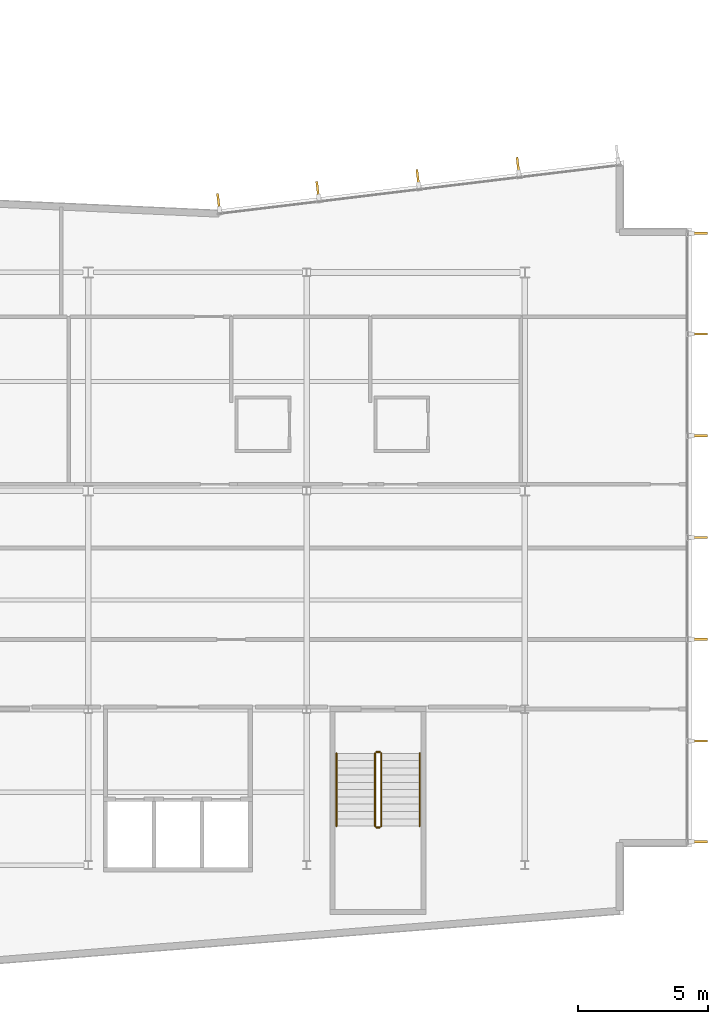
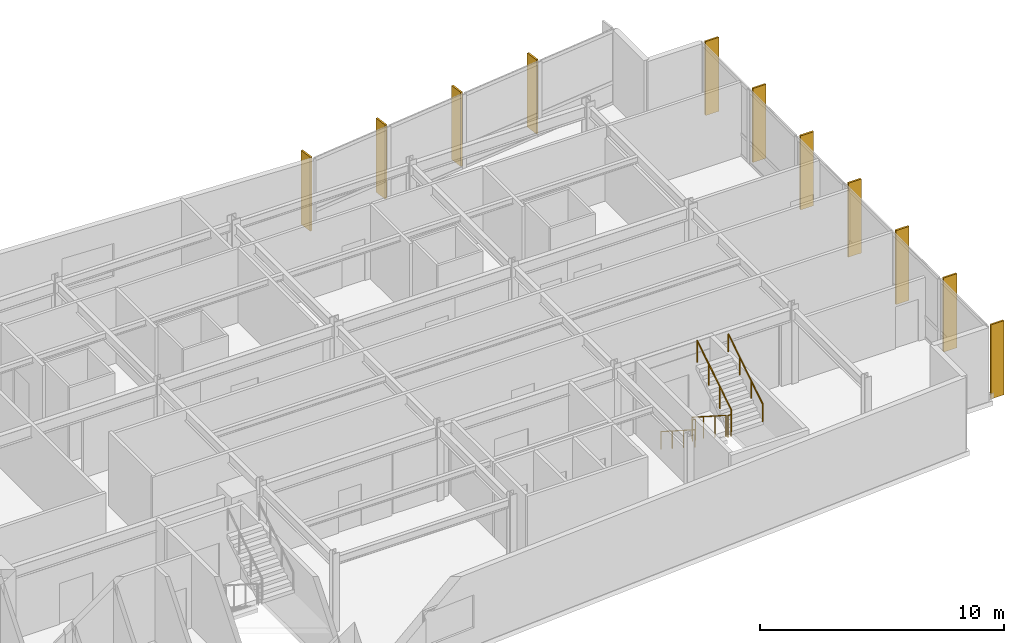
# One storey, part 15 of 17: 11 shading devices, 6 railings.
"""IFC4 building model written with IfcOpenShell, lengths in metres."""

from ifc_helpers import new_model, si_unit, direction, frame, origin, origin_2d, place, context, subcontext, project, spatial, rectangle, circle, extrude, material, layer, layer_set, type_object, element, save


model = new_model("IFC4")

# Units and contexts
model_context = context("Model", 3, precision=1e-05, world=origin(), true_north=direction((0.0, 1.0)))
body_context = subcontext(model_context, "Body", "Model", "MODEL_VIEW")
ifc_project = project(units=[si_unit("LENGTHUNIT", "METRE"), si_unit("AREAUNIT", "SQUARE_METRE"), si_unit("VOLUMEUNIT", "CUBIC_METRE"), si_unit("PLANEANGLEUNIT", "RADIAN"), si_unit("MASSUNIT", "GRAM", prefix="KILO")], contexts=[model_context])

# Site, building, storey
site_placement = place(None, origin())
site = spatial("IfcSite", under=ifc_project, at=site_placement, CompositionType="ELEMENT")
building_placement = place(site_placement, origin())
building = spatial("IfcBuilding", under=site, at=building_placement, Name="Varnakote Quay Hospital", CompositionType="ELEMENT")
storey_placement = place(building_placement, frame((0.0, 0.0, 146.800048828125)))
storey = spatial("IfcBuildingStorey", under=building, at=storey_placement, Name="L36", CompositionType="ELEMENT", Elevation=146.800048828125)

# Railings
ifc_material_1 = material(Name="Brushed stainless steel balustrade", Category="steel")
railing_type_1 = type_object("IfcRailingType", Name="RLG-STAIR-GUARD-1150", PredefinedType="GUARDRAIL", material=ifc_material_1)
railing_1_placement = place(storey_placement, frame((44.6298828125, 10.300048828125, 0.179443359375)))
element("IfcRailing", 1, at=railing_1_placement, inside=storey, type_object=railing_type_1, Name="L36 ST-03 stair guard 1", PredefinedType="GUARDRAIL", context=body_context, shape_type="SweptSolid", body=[
    extrude(circle(Radius=0.02392578125, at=origin_2d()), frame((0.0, 0.0, 1.076171875), z_axis=(0.0, -0.841809871826, 0.539774156196), x_axis=(1.0, 0.0, 0.0)), (0.0, 0.0, 1.0), 3.326171875),
    extrude(circle(Radius=0.02099609375, at=origin_2d()), origin(), (0.0, 0.0, 1.0), 1.052001953125),
    extrude(circle(Radius=0.02099609375, at=origin_2d()), frame((0.0, -0.933349609375, 0.598388671875)), (0.0, 0.0, 1.0), 1.052001953125),
    extrude(circle(Radius=0.02099609375, at=origin_2d()), frame((0.0, -1.86669921875, 1.197021484375)), (0.0, 0.0, 1.0), 1.052001953125),
    extrude(circle(Radius=0.02099609375, at=origin_2d()), frame((0.0, -2.800048828125, 1.79541015625)), (0.0, 0.0, 1.0), 1.052001953125),
])
railing_2_placement = place(storey_placement, frame((44.679931640625, 7.449951171875, 1.974853515625)))
element("IfcRailing", 2, at=railing_2_placement, inside=storey, type_object=railing_type_1, Name="L36 ST-03 stair guard 2", PredefinedType="GUARDRAIL", context=body_context, shape_type="SweptSolid", body=[
    extrude(circle(Radius=0.02392578125, at=origin_2d()), frame((0.0, 0.0, 1.076171875), z_axis=(1.0, 0.0, 0.0), x_axis=(0.0, 1.0, 0.0)), (0.0, 0.0, 1.0), 0.14013671875),
    extrude(circle(Radius=0.02099609375, at=origin_2d()), origin(), (0.0, 0.0, 1.0), 1.052001953125),
    extrude(circle(Radius=0.02099609375, at=origin_2d()), frame((0.14013671875, 0.0, 0.0)), (0.0, 0.0, 1.0), 1.052001953125),
])
railing_3_placement = place(storey_placement, frame((44.8701171875, 7.5, 2.154541015625)))
element("IfcRailing", 3, at=railing_3_placement, inside=storey, type_object=railing_type_1, Name="L36 ST-03 stair guard 3", PredefinedType="GUARDRAIL", context=body_context, shape_type="SweptSolid", body=[
    extrude(circle(Radius=0.02392578125, at=origin_2d()), frame((0.0, 0.0, 1.076171875), z_axis=(0.0, 0.841809871826, 0.539774156196), x_axis=(-1.0, 0.0, 0.0)), (0.0, 0.0, 1.0), 3.326171875),
    extrude(circle(Radius=0.02099609375, at=origin_2d()), origin(), (0.0, 0.0, 1.0), 1.052001953125),
    extrude(circle(Radius=0.02099609375, at=origin_2d()), frame((0.0, 0.933349609375, 0.598388671875)), (0.0, 0.0, 1.0), 1.052001953125),
    extrude(circle(Radius=0.02099609375, at=origin_2d()), frame((0.0, 1.86669921875, 1.197021484375)), (0.0, 0.0, 1.0), 1.052001953125),
    extrude(circle(Radius=0.02099609375, at=origin_2d()), frame((0.0, 2.800048828125, 1.79541015625)), (0.0, 0.0, 1.0), 1.052001953125),
])
railing_4_placement = place(storey_placement, frame((44.679931640625, 10.35009765625, 0.0)))
element("IfcRailing", 4, at=railing_4_placement, inside=storey, type_object=railing_type_1, Name="L36 ST-03 stair guard 4", PredefinedType="GUARDRAIL", context=body_context, shape_type="SweptSolid", body=[
    extrude(circle(Radius=0.02392578125, at=origin_2d()), frame((0.0, 0.0, 1.076171875), z_axis=(1.0, 0.0, 0.0), x_axis=(0.0, 1.0, 0.0)), (0.0, 0.0, 1.0), 0.14013671875),
    extrude(circle(Radius=0.02099609375, at=origin_2d()), origin(), (0.0, 0.0, 1.0), 1.052001953125),
    extrude(circle(Radius=0.02099609375, at=origin_2d()), frame((0.14013671875, 0.0, 0.0)), (0.0, 0.0, 1.0), 1.052001953125),
])
ifc_material_2 = material(Name="Brushed stainless steel handrail", Category="steel")
railing_type_2 = type_object("IfcRailingType", Name="RLG-STAIR-HND-920", PredefinedType="HANDRAIL", material=ifc_material_2)
railing_5_placement = place(storey_placement, frame((43.14990234375, 10.300048828125, 0.179443359375)))
element("IfcRailing", 5, at=railing_5_placement, inside=storey, type_object=railing_type_2, Name="L36 ST-03 stair handrail 1", PredefinedType="HANDRAIL", context=body_context, shape_type="SweptSolid", body=[
    extrude(circle(Radius=0.02392578125, at=origin_2d()), frame((0.0, 0.0, 0.8759765625), z_axis=(0.0, -0.841809871826, 0.539774156196), x_axis=(1.0, 0.0, 0.0)), (0.0, 0.0, 1.0), 3.326171875),
    extrude(circle(Radius=0.02099609375, at=origin_2d()), origin(), (0.0, 0.0, 1.0), 0.851806640625),
    extrude(circle(Radius=0.02099609375, at=origin_2d()), frame((0.0, -0.933349609375, 0.598388671875)), (0.0, 0.0, 1.0), 0.851806640625),
    extrude(circle(Radius=0.02099609375, at=origin_2d()), frame((0.0, -1.86669921875, 1.197021484375)), (0.0, 0.0, 1.0), 0.851806640625),
    extrude(circle(Radius=0.02099609375, at=origin_2d()), frame((0.0, -2.800048828125, 1.79541015625)), (0.0, 0.0, 1.0), 0.851806640625),
])
railing_6_placement = place(storey_placement, frame((46.35009765625, 7.5, 2.154541015625)))
element("IfcRailing", 6, at=railing_6_placement, inside=storey, type_object=railing_type_2, Name="L36 ST-03 stair handrail 2", PredefinedType="HANDRAIL", context=body_context, shape_type="SweptSolid", body=[
    extrude(circle(Radius=0.02392578125, at=origin_2d()), frame((0.0, 0.0, 0.8759765625), z_axis=(0.0, 0.841809871826, 0.539774156196), x_axis=(-1.0, 0.0, 0.0)), (0.0, 0.0, 1.0), 3.326171875),
    extrude(circle(Radius=0.02099609375, at=origin_2d()), origin(), (0.0, 0.0, 1.0), 0.851806640625),
    extrude(circle(Radius=0.02099609375, at=origin_2d()), frame((0.0, 0.933349609375, 0.598388671875)), (0.0, 0.0, 1.0), 0.851806640625),
    extrude(circle(Radius=0.02099609375, at=origin_2d()), frame((0.0, 1.86669921875, 1.197021484375)), (0.0, 0.0, 1.0), 0.851806640625),
    extrude(circle(Radius=0.02099609375, at=origin_2d()), frame((0.0, 2.800048828125, 1.79541015625)), (0.0, 0.0, 1.0), 0.851806640625),
])

# Shading devices
ifc_material_3 = material(Name="Anodised aluminium 6063-T6 Bronze", Category="aluminium")
ifc_layer = layer(ifc_material_3, 0.0849609375)
ifc_layer_set = layer_set([ifc_layer], Name="Anodised aluminium 6063-T6 Bronze")
shading_device_type = type_object("IfcShadingDeviceType", Name="SHD-BRONZE-FIN-620", PredefinedType="USERDEFINED", material=ifc_layer_set)
for number, where, z_axis, x_axis, name in (
    (7, (57.110107421875, 6.8974609375, 0.0), (0.0, 0.0, 1.0), (-1.0, 0.0, 0.0), "L36 Anodised Bronze Vertical Shading FIN"),
    (8, (57.110107421875, 10.773193359375, 0.0), (0.0, 0.0, 1.0), (-1.0, 0.0, 0.0), "L36 Anodised Bronze Vertical Shading FIN"),
    (9, (57.110107421875, 14.686767578125, 0.0), (0.0, 0.0, 1.0), (-1.0, 0.0, 0.0), "L36 Anodised Bronze Vertical Shading FIN"),
    (10, (57.110107421875, 18.60009765625, 0.0), (0.0, 0.0, 1.0), (-1.0, 0.0, 0.0), "L36 Anodised Bronze Vertical Shading FIN"),
    (11, (57.110107421875, 22.51318359375, 0.0), (0.0, 0.0, 1.0), (-1.0, 0.0, 0.0), "L36 Anodised Bronze Vertical Shading FIN"),
    (12, (57.110107421875, 26.4267578125, 0.0), (0.0, 0.0, 1.0), (-1.0, 0.0, 0.0), "L36 Anodised Bronze Vertical Shading FIN"),
    (13, (57.110107421875, 30.302490234375, 0.0), (0.0, 0.0, 1.0), (-1.0, 0.0, 0.0), "L36 Anodised Bronze Vertical Shading FIN"),
    (14, (50.131103515625, 32.9189453125, 0.0), (0.0, 0.0, 1.0), (0.120310105847, -0.992736358975, 0.0), "L36 Anodised Bronze Vertical Shading FIN"),
    (15, (46.278564453125, 32.4521484375, 0.0), (0.0, 0.0, 1.0), (0.120310105847, -0.992736358975, 0.0), "L36 Anodised Bronze Vertical Shading FIN"),
    (16, (42.426025390625, 31.985107421875, 0.0), (0.0, 0.0, 1.0), (0.120310105847, -0.992736358975, 0.0), "L36 Anodised Bronze Vertical Shading FIN"),
    (17, (38.61083984375, 31.522705078125, 0.0), (0.0, 0.0, 1.0), (0.120310105847, -0.992736358975, 0.0), "L36 Anodised Bronze Vertical Shading FIN"),
):
    element("IfcShadingDevice", number, at=place(storey_placement, frame(where, z_axis=z_axis, x_axis=x_axis)), inside=storey, type_object=shading_device_type, Name=name, ObjectType="FIN", PredefinedType="USERDEFINED", context=body_context, shape_type="SweptSolid", body=[
        extrude(rectangle(XDim=0.6201171875, YDim=0.0849609375, at=origin_2d()), origin(), (0.0, 0.0, 1.0), 3.7099609375),
    ])

save(model, "model.ifc")
